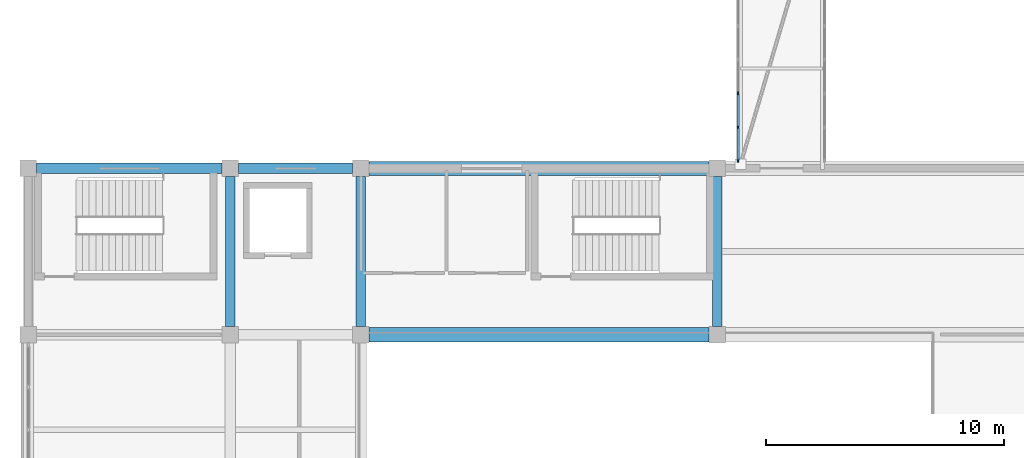
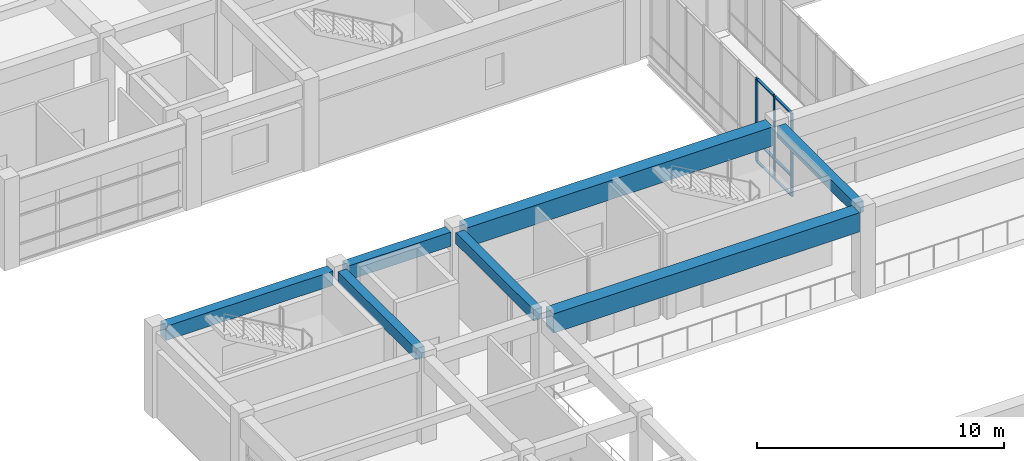
# One storey, part 4 of 70: 9 members, 7 beams, 1 element without a shape of its own.
"""IFC4 building model written with IfcOpenShell, lengths in metres."""

from ifc_helpers import new_model, si_unit, direction, frame, origin, origin_2d, place, context, subcontext, project, spatial, rectangle, extrude, material, layer, layer_set, material_profile, profile_set, type_object, element, aggregate, save


model = new_model("IFC4")

# Units and contexts
model_context = context("Model", 3, precision=1e-05, world=origin(), true_north=direction((0.0, 1.0)))
body_context = subcontext(model_context, "Body", "Model", "MODEL_VIEW")
ifc_project = project(units=[si_unit("LENGTHUNIT", "METRE"), si_unit("AREAUNIT", "SQUARE_METRE"), si_unit("VOLUMEUNIT", "CUBIC_METRE"), si_unit("PLANEANGLEUNIT", "RADIAN"), si_unit("MASSUNIT", "GRAM", prefix="KILO")], contexts=[model_context])

# Site, building, storey
site_placement = place(None, origin())
site = spatial("IfcSite", under=ifc_project, at=site_placement, CompositionType="ELEMENT")
building_placement = place(site_placement, origin())
building = spatial("IfcBuilding", under=site, at=building_placement, Name="Naurynzar Civic Courthouse", CompositionType="ELEMENT")
storey_placement = place(building_placement, frame((0.0, 0.0, 5.39990234375)))
storey = spatial("IfcBuildingStorey", under=building, at=storey_placement, Name="L02", CompositionType="ELEMENT", Elevation=5.39990234375)

# Beams
ifc_material_1 = material(Name="Concrete C40/50", Category="concrete")
ifc_material_profile_1 = material_profile(ifc_material_1, rectangle(XDim=0.60009765625, YDim=0.949951171875, at=origin_2d()), Name="PTB 600x950")
ifc_profile_set_1 = profile_set([ifc_material_profile_1], Name="Concrete C40/50")
beam_type_1 = type_object("IfcBeamType", Name="BM-PT-600x950", PredefinedType="T_BEAM", material=ifc_profile_set_1)
for number, where, z_axis, x_axis, name in (
    (1, (20.35009765625, 25.0, 3.755126953125), (1.0, 0.0, 0.0), (0.0, 1.0, 0.0), "V4 beam X-1818 L02"),
    (2, (20.35009765625, 32.0, 3.755126953125), (1.0, 0.0, 0.0), (0.0, 1.0, 0.0), "V4 beam X-1823 L02"),
):
    element("IfcBeam", number, at=place(storey_placement, frame(where, z_axis=z_axis, x_axis=x_axis)), inside=storey, type_object=beam_type_1, Name=name, PredefinedType="T_BEAM", context=body_context, shape_type="SweptSolid", body=[
        extrude(rectangle(XDim=0.60009765625, YDim=0.949951171875, at=origin_2d()), origin(), (0.0, 0.0, 1.0), 14.2998046875),
    ])
ifc_material_2 = material(Name="Concrete C40/50", Category="concrete")
ifc_material_profile_2 = material_profile(ifc_material_2, rectangle(XDim=0.39990234375, YDim=0.550048828125, at=origin_2d()), Name="RCB 400x550")
ifc_profile_set_2 = profile_set([ifc_material_profile_2], Name="Concrete C40/50")
beam_type_2 = type_object("IfcBeamType", Name="BM-RC-400x550", PredefinedType="BEAM", material=ifc_profile_set_2)
for number, where, z_axis, x_axis, name in (
    (3, (14.5, 25.35009765625, 3.955078125), (0.0, 1.0, 0.0), (-1.0, 0.0, 0.0), "V4 girder Y-1833 L02"),
    (4, (20.0, 25.35009765625, 3.955078125), (0.0, 1.0, 0.0), (-1.0, 0.0, 0.0), "V4 girder Y-1837 L02"),
    (5, (35.0, 25.35009765625, 3.955078125), (0.0, 1.0, 0.0), (-1.0, 0.0, 0.0), "V4 girder Y-1839 L02"),
):
    element("IfcBeam", number, at=place(storey_placement, frame(where, z_axis=z_axis, x_axis=x_axis)), inside=storey, type_object=beam_type_2, Name=name, PredefinedType="BEAM", context=body_context, shape_type="SweptSolid", body=[
        extrude(rectangle(XDim=0.39990234375, YDim=0.550048828125, at=origin_2d()), origin(), (0.0, 0.0, 1.0), 6.2998046875),
    ])
ifc_material_3 = material(Name="Concrete C40/50", Category="concrete")
ifc_material_profile_3 = material_profile(ifc_material_3, rectangle(XDim=0.449951171875, YDim=0.699951171875, at=origin_2d()), Name="RCB 450x700")
ifc_profile_set_3 = profile_set([ifc_material_profile_3], Name="Concrete C40/50")
beam_type_3 = type_object("IfcBeamType", Name="BM-RC-450x700", PredefinedType="BEAM", material=ifc_profile_set_3)
beam_1_placement = place(storey_placement, frame((6.35009765625, 32.0, 3.880126953125), z_axis=(1.0, 0.0, 0.0), x_axis=(0.0, 1.0, 0.0)))
element("IfcBeam", 6, at=beam_1_placement, inside=storey, type_object=beam_type_3, Name="V4 beam X-1821 L02", PredefinedType="BEAM", context=body_context, shape_type="SweptSolid", body=[
    extrude(rectangle(XDim=0.449951171875, YDim=0.699951171875, at=origin_2d()), origin(), (0.0, 0.0, 1.0), 7.7998046875),
])
beam_2_placement = place(storey_placement, frame((14.85009765625, 32.0, 3.880126953125), z_axis=(1.0, 0.0, 0.0), x_axis=(0.0, 1.0, 0.0)))
element("IfcBeam", 7, at=beam_2_placement, inside=storey, type_object=beam_type_3, Name="V4 beam X-1822 L02", PredefinedType="BEAM", context=body_context, shape_type="SweptSolid", body=[
    extrude(rectangle(XDim=0.449951171875, YDim=0.699951171875, at=origin_2d()), origin(), (0.0, 0.0, 1.0), 4.7998046875),
])

# Curtain wall, members
ifc_material_4 = material(Name="Aluminium 6063-T6", Category="aluminium")
ifc_layer = layer(ifc_material_4, 0.14990234375)
ifc_layer_set = layer_set([ifc_layer], Name="CW-BRIDGE-1500")
curtain_wall_type = type_object("IfcCurtainWallType", Name="CW-BRIDGE-1500", PredefinedType="USERDEFINED", material=ifc_layer_set)
curtain_wall_placement = place(storey_placement, origin())
curtain_wall = element("IfcCurtainWall", 8, at=curtain_wall_placement, inside=storey, type_object=curtain_wall_type, Name="BR-W1 glazed bridge screen L02.1", ObjectType="GLAZED BRIDGE SCREEN", PredefinedType="USERDEFINED")
ifc_material_5 = material(Name="Aluminium 6063-T6", Category="aluminium")
ifc_material_profile_4 = material_profile(ifc_material_5, rectangle(XDim=0.06005859375, YDim=0.14990234375, at=origin_2d()), Name="ALU MULLION 60x150")
ifc_profile_set_4 = profile_set([ifc_material_profile_4], Name="Aluminium 6063-T6")
member_type_1 = type_object("IfcMemberType", Name="CWM-60x150", PredefinedType="MULLION", material=ifc_profile_set_4)
member_1_placement = place(storey_placement, frame((35.8798828125, 35.14990234375, 0.0), z_axis=(0.0, 0.0, 1.0), x_axis=(1.0, 0.0, 0.0)))
member_1 = element("IfcMember", 9, at=member_1_placement, type_object=member_type_1, Name="CW-03 mullion 7", PredefinedType="MULLION", context=body_context, shape_type="SweptSolid", body=[
    extrude(rectangle(XDim=0.06005859375, YDim=0.14990234375, at=origin_2d()), origin(), (0.0, 0.0, 1.0), 4.1201171875),
])
member_2_placement = place(storey_placement, frame((35.8798828125, 33.72509765625, 0.0), z_axis=(0.0, 0.0, 1.0), x_axis=(1.0, 0.0, 0.0)))
member_2 = element("IfcMember", 10, at=member_2_placement, type_object=member_type_1, Name="CW-03 mullion 8", PredefinedType="MULLION", context=body_context, shape_type="SweptSolid", body=[
    extrude(rectangle(XDim=0.06005859375, YDim=0.14990234375, at=origin_2d()), origin(), (0.0, 0.0, 1.0), 4.1201171875),
])
member_3_placement = place(storey_placement, frame((35.8798828125, 32.330078125, 0.0), z_axis=(0.0, 0.0, 1.0), x_axis=(1.0, 0.0, 0.0)))
member_3 = element("IfcMember", 11, at=member_3_placement, type_object=member_type_1, Name="CW-03 mullion 9", PredefinedType="MULLION", context=body_context, shape_type="SweptSolid", body=[
    extrude(rectangle(XDim=0.06005859375, YDim=0.14990234375, at=origin_2d()), origin(), (0.0, 0.0, 1.0), 4.1201171875),
])
ifc_material_6 = material(Name="Aluminium 6063-T6", Category="aluminium")
ifc_material_profile_5 = material_profile(ifc_material_6, rectangle(XDim=0.110107421875, YDim=0.06005859375, at=origin_2d()), Name="ALU TRANSOM 60x110")
ifc_profile_set_5 = profile_set([ifc_material_profile_5], Name="Aluminium 6063-T6")
member_type_2 = type_object("IfcMemberType", Name="CWT-60x110", PredefinedType="USERDEFINED", material=ifc_profile_set_5)
member_4_placement = place(storey_placement, frame((35.8798828125, 35.1201171875, 0.030029296875), z_axis=(0.0, -1.0, 0.0), x_axis=(1.0, 0.0, 0.0)))
member_4 = element("IfcMember", 12, at=member_4_placement, type_object=member_type_2, Name="CW-03 transom 7.1", ObjectType="TRANSOM", PredefinedType="USERDEFINED", context=body_context, shape_type="SweptSolid", body=[
    extrude(rectangle(XDim=0.110107421875, YDim=0.06005859375, at=origin_2d()), origin(), (0.0, 0.0, 1.0), 1.365234375),
])
member_5_placement = place(storey_placement, frame((35.8798828125, 35.1201171875, 1.0), z_axis=(0.0, -1.0, 0.0), x_axis=(1.0, 0.0, 0.0)))
member_5 = element("IfcMember", 13, at=member_5_placement, type_object=member_type_2, Name="CW-03 transom 7.2", ObjectType="TRANSOM", PredefinedType="USERDEFINED", context=body_context, shape_type="SweptSolid", body=[
    extrude(rectangle(XDim=0.110107421875, YDim=0.06005859375, at=origin_2d()), origin(), (0.0, 0.0, 1.0), 1.365234375),
])
member_6_placement = place(storey_placement, frame((35.8798828125, 35.1201171875, 4.090087890625), z_axis=(0.0, -1.0, 0.0), x_axis=(1.0, 0.0, 0.0)))
member_6 = element("IfcMember", 14, at=member_6_placement, type_object=member_type_2, Name="CW-03 transom 7.3", ObjectType="TRANSOM", PredefinedType="USERDEFINED", context=body_context, shape_type="SweptSolid", body=[
    extrude(rectangle(XDim=0.110107421875, YDim=0.06005859375, at=origin_2d()), origin(), (0.0, 0.0, 1.0), 1.365234375),
])
member_7_placement = place(storey_placement, frame((35.8798828125, 33.695068359375, 0.030029296875), z_axis=(0.0, -1.0, 0.0), x_axis=(1.0, 0.0, 0.0)))
member_7 = element("IfcMember", 15, at=member_7_placement, type_object=member_type_2, Name="CW-03 transom 8.1", ObjectType="TRANSOM", PredefinedType="USERDEFINED", context=body_context, shape_type="SweptSolid", body=[
    extrude(rectangle(XDim=0.110107421875, YDim=0.06005859375, at=origin_2d()), origin(), (0.0, 0.0, 1.0), 1.3349609375),
])
member_8_placement = place(storey_placement, frame((35.8798828125, 33.695068359375, 1.0), z_axis=(0.0, -1.0, 0.0), x_axis=(1.0, 0.0, 0.0)))
member_8 = element("IfcMember", 16, at=member_8_placement, type_object=member_type_2, Name="CW-03 transom 8.2", ObjectType="TRANSOM", PredefinedType="USERDEFINED", context=body_context, shape_type="SweptSolid", body=[
    extrude(rectangle(XDim=0.110107421875, YDim=0.06005859375, at=origin_2d()), origin(), (0.0, 0.0, 1.0), 1.3349609375),
])
member_9_placement = place(storey_placement, frame((35.8798828125, 33.695068359375, 4.090087890625), z_axis=(0.0, -1.0, 0.0), x_axis=(1.0, 0.0, 0.0)))
member_9 = element("IfcMember", 17, at=member_9_placement, type_object=member_type_2, Name="CW-03 transom 8.3", ObjectType="TRANSOM", PredefinedType="USERDEFINED", context=body_context, shape_type="SweptSolid", body=[
    extrude(rectangle(XDim=0.110107421875, YDim=0.06005859375, at=origin_2d()), origin(), (0.0, 0.0, 1.0), 1.3349609375),
])
aggregate(curtain_wall, [member_1, member_2, member_3, member_4, member_5, member_6, member_7, member_8, member_9])

save(model, "model.ifc")
